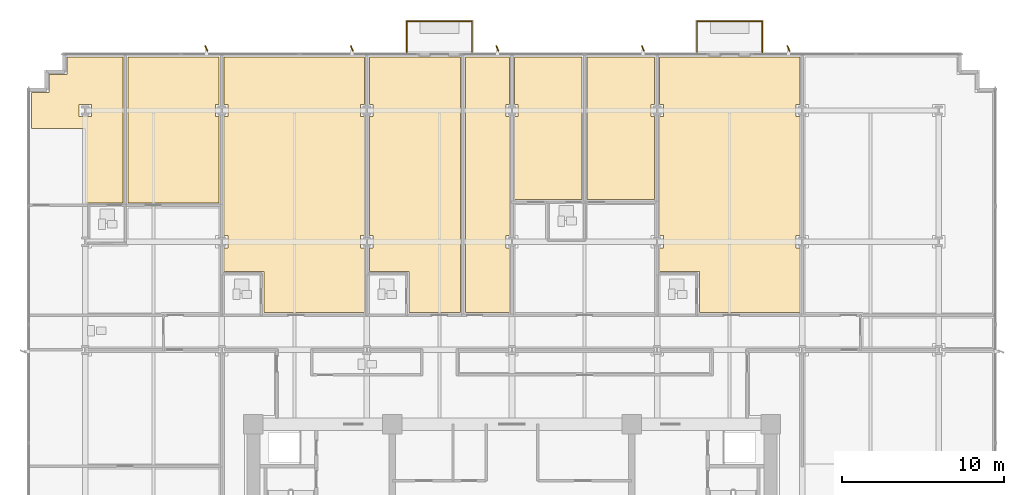
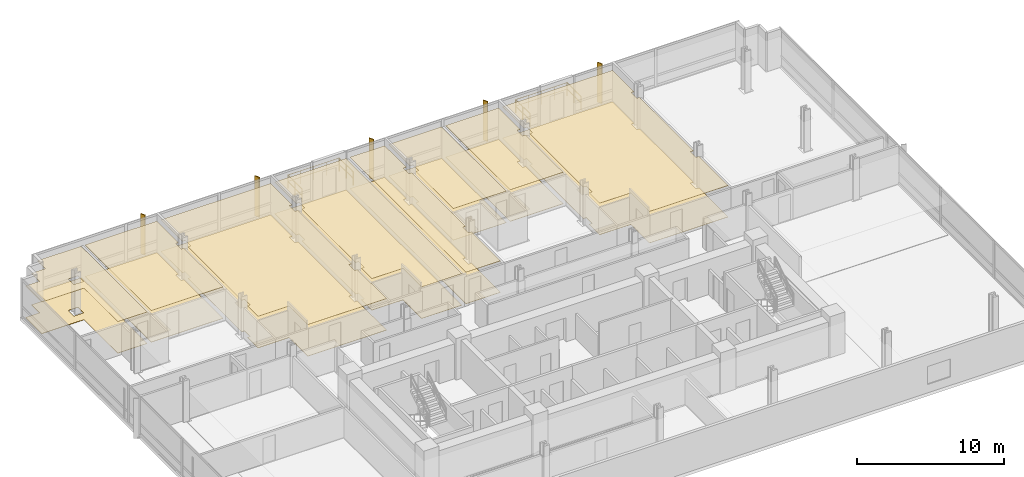
# One storey, part 14 of 16: 16 coverings, 6 railings, 5 shading devices.
"""IFC4 building model written with IfcOpenShell, lengths in metres."""

from ifc_helpers import new_model, si_unit, direction, frame, origin, origin_2d, place, context, subcontext, project, spatial, polyline, rectangle, circle, outline, extrude, material, layer, layer_set, type_object, element, save


model = new_model("IFC4")

# Units and contexts
model_context = context("Model", 3, precision=1e-05, world=origin(), true_north=direction((0.0, 1.0)))
body_context = subcontext(model_context, "Body", "Model", "MODEL_VIEW")
ifc_project = project(units=[si_unit("LENGTHUNIT", "METRE"), si_unit("AREAUNIT", "SQUARE_METRE"), si_unit("VOLUMEUNIT", "CUBIC_METRE"), si_unit("PLANEANGLEUNIT", "RADIAN"), si_unit("MASSUNIT", "GRAM", prefix="KILO")], contexts=[model_context])

# Site, building, storey
site_placement = place(None, origin())
site = spatial("IfcSite", under=ifc_project, at=site_placement, CompositionType="ELEMENT")
building_placement = place(site_placement, origin())
building = spatial("IfcBuilding", under=site, at=building_placement, Name="Solmavex Isthmus Hotel", CompositionType="ELEMENT")
storey_placement = place(building_placement, frame((0.0, 0.0, 29.85009765625)))
storey = spatial("IfcBuildingStorey", under=building, at=storey_placement, Name="L07", CompositionType="ELEMENT", Elevation=29.85009765625)

# Coverings
ifc_material_1 = material(Name="Gypsum plasterboard lining", Category="gypsum")
ifc_layer_1 = layer(ifc_material_1, 0.030029296875)
ifc_layer_set_1 = layer_set([ifc_layer_1], Name="Gypsum plasterboard lining")
covering_type_1 = type_object("IfcCoveringType", Name="COV-CEIL-GYP", PredefinedType="CEILING", material=ifc_layer_set_1)
covering_1_placement = place(storey_placement, frame((0.0, 0.0, 2.619873046875)))
element("IfcCovering", 1, at=covering_1_placement, inside=storey, type_object=covering_type_1, Name="Suspended Acoustic Ceiling L07-HB01", PredefinedType="CEILING", context=body_context, shape_type="SweptSolid", body=[
    extrude(outline(polyline([(-28.625, 18.02490234375), (-29.72509765625, 18.02490234375), (-29.72509765625, 15.800048828125), (-26.39990234375, 15.800048828125), (-26.39990234375, 11.193115234375), (-24.071044921875, 11.193115234375), (-24.071044921875, 20.22509765625), (-27.52490234375, 20.22509765625), (-27.52490234375, 19.125), (-28.625, 19.125), (-28.625, 18.02490234375)]), holes=[polyline([(-26.780029296875, 17.280029296875), (-26.02001953125, 17.280029296875), (-26.02001953125, 16.52001953125), (-26.780029296875, 16.52001953125), (-26.780029296875, 17.280029296875)])]), origin(), (0.0, 0.0, 1.0), 0.030029296875),
])
covering_2_placement = place(storey_placement, frame((0.0, 0.0, 2.619873046875)))
element("IfcCovering", 2, at=covering_2_placement, inside=storey, type_object=covering_type_1, Name="Suspended Acoustic Ceiling L07-HP01", PredefinedType="CEILING", context=body_context, shape_type="SweptSolid", body=[
    extrude(outline(polyline([(-18.10693359375, 16.52001953125), (-18.33203125, 16.52001953125), (-18.33203125, 17.280029296875), (-18.10693359375, 17.280029296875), (-18.10693359375, 20.22509765625), (-23.760986328125, 20.22509765625), (-23.760986328125, 11.193115234375), (-18.10693359375, 11.193115234375), (-18.10693359375, 16.52001953125)])), origin(), (0.0, 0.0, 1.0), 0.030029296875),
])
covering_3_placement = place(storey_placement, frame((0.0, 0.0, 2.619873046875)))
element("IfcCovering", 3, at=covering_3_placement, inside=storey, type_object=covering_type_1, Name="Suspended Acoustic Ceiling L07-RM02", PredefinedType="CEILING", context=body_context, shape_type="SweptSolid", body=[
    extrude(outline(polyline([(-17.797119140625, 9.16796875), (-17.572021484375, 9.16796875), (-17.572021484375, 8.407958984375), (-17.797119140625, 8.407958984375), (-17.797119140625, 6.955078125), (-15.346923828125, 6.955078125), (-15.346923828125, 4.405029296875), (-9.131103515625, 4.405029296875), (-9.131103515625, 8.407958984375), (-9.35595703125, 8.407958984375), (-9.35595703125, 9.16796875), (-9.131103515625, 9.16796875), (-9.131103515625, 16.52001953125), (-9.35595703125, 16.52001953125), (-9.35595703125, 17.280029296875), (-9.131103515625, 17.280029296875), (-9.131103515625, 20.22509765625), (-17.797119140625, 20.22509765625), (-17.797119140625, 17.280029296875), (-17.572021484375, 17.280029296875), (-17.572021484375, 16.52001953125), (-17.797119140625, 16.52001953125), (-17.797119140625, 9.16796875)])), origin(), (0.0, 0.0, 1.0), 0.030029296875),
])
covering_4_placement = place(storey_placement, frame((0.0, 0.0, 2.619873046875)))
element("IfcCovering", 4, at=covering_4_placement, inside=storey, type_object=covering_type_1, Name="Suspended Acoustic Ceiling L07-RM03", PredefinedType="CEILING", context=body_context, shape_type="SweptSolid", body=[
    extrude(outline(polyline([(-8.821044921875, 9.16796875), (-8.595947265625, 9.16796875), (-8.595947265625, 8.407958984375), (-8.821044921875, 8.407958984375), (-8.821044921875, 6.955078125), (-6.37109375, 6.955078125), (-6.37109375, 4.405029296875), (-3.193115234375, 4.405029296875), (-3.193115234375, 20.22509765625), (-8.821044921875, 20.22509765625), (-8.821044921875, 17.280029296875), (-8.595947265625, 17.280029296875), (-8.595947265625, 16.52001953125), (-8.821044921875, 16.52001953125), (-8.821044921875, 9.16796875)])), origin(), (0.0, 0.0, 1.0), 0.030029296875),
])
covering_5_placement = place(storey_placement, frame((0.0, 0.0, 2.619873046875)))
element("IfcCovering", 5, at=covering_5_placement, inside=storey, type_object=covering_type_1, Name="Suspended Acoustic Ceiling L07-RM04", PredefinedType="CEILING", context=body_context, shape_type="SweptSolid", body=[
    extrude(outline(polyline([(-0.155029296875, 16.52001953125), (-0.3798828125, 16.52001953125), (-0.3798828125, 17.280029296875), (-0.155029296875, 17.280029296875), (-0.155029296875, 20.22509765625), (-2.883056640625, 20.22509765625), (-2.883056640625, 4.405029296875), (-0.155029296875, 4.405029296875), (-0.155029296875, 8.407958984375), (-0.3798828125, 8.407958984375), (-0.3798828125, 9.16796875), (-0.155029296875, 9.16796875), (-0.155029296875, 16.52001953125)])), origin(), (0.0, 0.0, 1.0), 0.030029296875),
])
covering_6_placement = place(storey_placement, frame((0.0, 0.0, 2.619873046875)))
element("IfcCovering", 6, at=covering_6_placement, inside=storey, type_object=covering_type_1, Name="Suspended Acoustic Ceiling L07-TB05", PredefinedType="CEILING", context=body_context, shape_type="SweptSolid", body=[
    extrude(outline(polyline([(0.155029296875, 17.280029296875), (0.3798828125, 17.280029296875), (0.3798828125, 16.52001953125), (0.155029296875, 16.52001953125), (0.155029296875, 11.39306640625), (4.3330078125, 11.39306640625), (4.3330078125, 20.22509765625), (0.155029296875, 20.22509765625), (0.155029296875, 17.280029296875)])), origin(), (0.0, 0.0, 1.0), 0.030029296875),
])
covering_7_placement = place(storey_placement, frame((0.0, 0.0, 2.619873046875)))
element("IfcCovering", 7, at=covering_7_placement, inside=storey, type_object=covering_type_1, Name="Suspended Acoustic Ceiling L07-TL05", PredefinedType="CEILING", context=body_context, shape_type="SweptSolid", body=[
    extrude(outline(polyline([(8.821044921875, 16.52001953125), (8.595947265625, 16.52001953125), (8.595947265625, 17.280029296875), (8.821044921875, 17.280029296875), (8.821044921875, 20.22509765625), (4.64306640625, 20.22509765625), (4.64306640625, 11.39306640625), (8.821044921875, 11.39306640625), (8.821044921875, 16.52001953125)])), origin(), (0.0, 0.0, 1.0), 0.030029296875),
])
covering_8_placement = place(storey_placement, frame((0.0, 0.0, 2.619873046875)))
element("IfcCovering", 8, at=covering_8_placement, inside=storey, type_object=covering_type_1, Name="Suspended Acoustic Ceiling L07-RM06", PredefinedType="CEILING", context=body_context, shape_type="SweptSolid", body=[
    extrude(outline(polyline([(9.131103515625, 9.16796875), (9.35595703125, 9.16796875), (9.35595703125, 8.407958984375), (9.131103515625, 8.407958984375), (9.131103515625, 6.955078125), (11.5810546875, 6.955078125), (11.5810546875, 4.405029296875), (17.797119140625, 4.405029296875), (17.797119140625, 8.407958984375), (17.572021484375, 8.407958984375), (17.572021484375, 9.16796875), (17.797119140625, 9.16796875), (17.797119140625, 16.52001953125), (17.572021484375, 16.52001953125), (17.572021484375, 17.280029296875), (17.797119140625, 17.280029296875), (17.797119140625, 20.22509765625), (9.131103515625, 20.22509765625), (9.131103515625, 17.280029296875), (9.35595703125, 17.280029296875), (9.35595703125, 16.52001953125), (9.131103515625, 16.52001953125), (9.131103515625, 9.16796875)])), origin(), (0.0, 0.0, 1.0), 0.030029296875),
])
ifc_material_2 = material(Name="Travertine natural stone", Category="masonry")
ifc_layer_2 = layer(ifc_material_2, 0.02490234375)
ifc_layer_set_2 = layer_set([ifc_layer_2], Name="Travertine natural stone")
covering_type_2 = type_object("IfcCoveringType", Name="COV-FLOR-STN", PredefinedType="FLOORING", material=ifc_layer_set_2)
covering_9_placement = place(storey_placement, origin())
element("IfcCovering", 9, at=covering_9_placement, inside=storey, type_object=covering_type_2, Name="Stone and Timber Floor Finish L07-HB01", PredefinedType="FLOORING", context=body_context, shape_type="SweptSolid", body=[
    extrude(outline(polyline([(-28.625, 18.02490234375), (-29.72509765625, 18.02490234375), (-29.72509765625, 15.800048828125), (-26.39990234375, 15.800048828125), (-26.39990234375, 11.193115234375), (-24.071044921875, 11.193115234375), (-24.071044921875, 20.22509765625), (-27.52490234375, 20.22509765625), (-27.52490234375, 19.125), (-28.625, 19.125), (-28.625, 18.02490234375)]), holes=[polyline([(-26.780029296875, 17.280029296875), (-26.02001953125, 17.280029296875), (-26.02001953125, 16.52001953125), (-26.780029296875, 16.52001953125), (-26.780029296875, 17.280029296875)])]), origin(), (0.0, 0.0, 1.0), 0.02490234375),
])
covering_10_placement = place(storey_placement, origin())
element("IfcCovering", 10, at=covering_10_placement, inside=storey, type_object=covering_type_2, Name="Stone and Timber Floor Finish L07-HP01", PredefinedType="FLOORING", context=body_context, shape_type="SweptSolid", body=[
    extrude(outline(polyline([(-18.10693359375, 16.52001953125), (-18.33203125, 16.52001953125), (-18.33203125, 17.280029296875), (-18.10693359375, 17.280029296875), (-18.10693359375, 20.22509765625), (-23.760986328125, 20.22509765625), (-23.760986328125, 11.193115234375), (-18.10693359375, 11.193115234375), (-18.10693359375, 16.52001953125)])), origin(), (0.0, 0.0, 1.0), 0.02490234375),
])
covering_11_placement = place(storey_placement, origin())
element("IfcCovering", 11, at=covering_11_placement, inside=storey, type_object=covering_type_2, Name="Stone and Timber Floor Finish L07-RM02", PredefinedType="FLOORING", context=body_context, shape_type="SweptSolid", body=[
    extrude(outline(polyline([(-17.797119140625, 9.16796875), (-17.572021484375, 9.16796875), (-17.572021484375, 8.407958984375), (-17.797119140625, 8.407958984375), (-17.797119140625, 6.955078125), (-15.346923828125, 6.955078125), (-15.346923828125, 4.405029296875), (-9.131103515625, 4.405029296875), (-9.131103515625, 8.407958984375), (-9.35595703125, 8.407958984375), (-9.35595703125, 9.16796875), (-9.131103515625, 9.16796875), (-9.131103515625, 16.52001953125), (-9.35595703125, 16.52001953125), (-9.35595703125, 17.280029296875), (-9.131103515625, 17.280029296875), (-9.131103515625, 20.22509765625), (-17.797119140625, 20.22509765625), (-17.797119140625, 17.280029296875), (-17.572021484375, 17.280029296875), (-17.572021484375, 16.52001953125), (-17.797119140625, 16.52001953125), (-17.797119140625, 9.16796875)])), origin(), (0.0, 0.0, 1.0), 0.02490234375),
])
covering_12_placement = place(storey_placement, origin())
element("IfcCovering", 12, at=covering_12_placement, inside=storey, type_object=covering_type_2, Name="Stone and Timber Floor Finish L07-RM03", PredefinedType="FLOORING", context=body_context, shape_type="SweptSolid", body=[
    extrude(outline(polyline([(-8.821044921875, 9.16796875), (-8.595947265625, 9.16796875), (-8.595947265625, 8.407958984375), (-8.821044921875, 8.407958984375), (-8.821044921875, 6.955078125), (-6.37109375, 6.955078125), (-6.37109375, 4.405029296875), (-3.193115234375, 4.405029296875), (-3.193115234375, 20.22509765625), (-8.821044921875, 20.22509765625), (-8.821044921875, 17.280029296875), (-8.595947265625, 17.280029296875), (-8.595947265625, 16.52001953125), (-8.821044921875, 16.52001953125), (-8.821044921875, 9.16796875)])), origin(), (0.0, 0.0, 1.0), 0.02490234375),
])
covering_13_placement = place(storey_placement, origin())
element("IfcCovering", 13, at=covering_13_placement, inside=storey, type_object=covering_type_2, Name="Stone and Timber Floor Finish L07-RM04", PredefinedType="FLOORING", context=body_context, shape_type="SweptSolid", body=[
    extrude(outline(polyline([(-0.155029296875, 16.52001953125), (-0.3798828125, 16.52001953125), (-0.3798828125, 17.280029296875), (-0.155029296875, 17.280029296875), (-0.155029296875, 20.22509765625), (-2.883056640625, 20.22509765625), (-2.883056640625, 4.405029296875), (-0.155029296875, 4.405029296875), (-0.155029296875, 8.407958984375), (-0.3798828125, 8.407958984375), (-0.3798828125, 9.16796875), (-0.155029296875, 9.16796875), (-0.155029296875, 16.52001953125)])), origin(), (0.0, 0.0, 1.0), 0.02490234375),
])
covering_14_placement = place(storey_placement, origin())
element("IfcCovering", 14, at=covering_14_placement, inside=storey, type_object=covering_type_2, Name="Stone and Timber Floor Finish L07-TB05", PredefinedType="FLOORING", context=body_context, shape_type="SweptSolid", body=[
    extrude(outline(polyline([(0.155029296875, 17.280029296875), (0.3798828125, 17.280029296875), (0.3798828125, 16.52001953125), (0.155029296875, 16.52001953125), (0.155029296875, 11.39306640625), (4.3330078125, 11.39306640625), (4.3330078125, 20.22509765625), (0.155029296875, 20.22509765625), (0.155029296875, 17.280029296875)])), origin(), (0.0, 0.0, 1.0), 0.02490234375),
])
covering_15_placement = place(storey_placement, origin())
element("IfcCovering", 15, at=covering_15_placement, inside=storey, type_object=covering_type_2, Name="Stone and Timber Floor Finish L07-TL05", PredefinedType="FLOORING", context=body_context, shape_type="SweptSolid", body=[
    extrude(outline(polyline([(8.821044921875, 16.52001953125), (8.595947265625, 16.52001953125), (8.595947265625, 17.280029296875), (8.821044921875, 17.280029296875), (8.821044921875, 20.22509765625), (4.64306640625, 20.22509765625), (4.64306640625, 11.39306640625), (8.821044921875, 11.39306640625), (8.821044921875, 16.52001953125)])), origin(), (0.0, 0.0, 1.0), 0.02490234375),
])
covering_16_placement = place(storey_placement, origin())
element("IfcCovering", 16, at=covering_16_placement, inside=storey, type_object=covering_type_2, Name="Stone and Timber Floor Finish L07-RM06", PredefinedType="FLOORING", context=body_context, shape_type="SweptSolid", body=[
    extrude(outline(polyline([(9.131103515625, 9.16796875), (9.35595703125, 9.16796875), (9.35595703125, 8.407958984375), (9.131103515625, 8.407958984375), (9.131103515625, 6.955078125), (11.5810546875, 6.955078125), (11.5810546875, 4.405029296875), (17.797119140625, 4.405029296875), (17.797119140625, 8.407958984375), (17.572021484375, 8.407958984375), (17.572021484375, 9.16796875), (17.797119140625, 9.16796875), (17.797119140625, 16.52001953125), (17.572021484375, 16.52001953125), (17.572021484375, 17.280029296875), (17.797119140625, 17.280029296875), (17.797119140625, 20.22509765625), (9.131103515625, 20.22509765625), (9.131103515625, 17.280029296875), (9.35595703125, 17.280029296875), (9.35595703125, 16.52001953125), (9.131103515625, 16.52001953125), (9.131103515625, 9.16796875)])), origin(), (0.0, 0.0, 1.0), 0.02490234375),
])

# Railings
ifc_material_3 = material(Name="Clear low-E laminated glass", Category="glass")
ifc_layer_3 = layer(ifc_material_3, 0.070068359375)
ifc_layer_set_3 = layer_set([ifc_layer_3], Name="Clear low-E laminated glass")
railing_type = type_object("IfcRailingType", Name="RAIL-GUARD-1100", PredefinedType="BALUSTRADE", material=ifc_layer_set_3)
railing_1_placement = place(storey_placement, frame((-6.508056640625, 20.5, 0.0)))
element("IfcRailing", 17, at=railing_1_placement, inside=storey, type_object=railing_type, Name="Guardrail Balustrade L07-BAL1-01", PredefinedType="BALUSTRADE", context=body_context, shape_type="SweptSolid", body=[
    extrude(circle(Radius=0.02392578125, at=origin_2d()), frame((0.0, 0.0, 1.09619140625), z_axis=(0.0, 1.0, 0.0), x_axis=(-1.0, 0.0, 0.0)), (0.0, 0.0, 1.0), 1.919921875),
    extrude(circle(Radius=0.02392578125, at=origin_2d()), frame((0.0, 0.0, 0.56005859375), z_axis=(0.0, 1.0, 0.0), x_axis=(-1.0, 0.0, 0.0)), (0.0, 0.0, 1.0), 1.919921875),
    extrude(circle(Radius=0.02099609375, at=origin_2d()), origin(), (0.0, 0.0, 1.0), 1.072021484375),
    extrude(circle(Radius=0.02099609375, at=origin_2d()), frame((0.0, 0.9599609375, 0.0)), (0.0, 0.0, 1.0), 1.072021484375),
    extrude(circle(Radius=0.02099609375, at=origin_2d()), frame((0.0, 1.919921875, 0.0)), (0.0, 0.0, 1.0), 1.072021484375),
])
railing_2_placement = place(storey_placement, frame((-6.508056640625, 22.419921875, 0.0)))
element("IfcRailing", 18, at=railing_2_placement, inside=storey, type_object=railing_type, Name="Guardrail Balustrade L07-BAL1-02", PredefinedType="BALUSTRADE", context=body_context, shape_type="SweptSolid", body=[
    extrude(circle(Radius=0.02392578125, at=origin_2d()), frame((0.0, 0.0, 1.09619140625), z_axis=(1.0, 0.0, 0.0), x_axis=(0.0, 1.0, 0.0)), (0.0, 0.0, 1.0), 4.0400390625),
    extrude(circle(Radius=0.02392578125, at=origin_2d()), frame((0.0, 0.0, 0.56005859375), z_axis=(1.0, 0.0, 0.0), x_axis=(0.0, 1.0, 0.0)), (0.0, 0.0, 1.0), 4.0400390625),
    extrude(circle(Radius=0.02099609375, at=origin_2d()), origin(), (0.0, 0.0, 1.0), 1.072021484375),
    extrude(circle(Radius=0.02099609375, at=origin_2d()), frame((1.010009765625, 0.0, 0.0)), (0.0, 0.0, 1.0), 1.072021484375),
    extrude(circle(Radius=0.02099609375, at=origin_2d()), frame((2.02001953125, 0.0, 0.0)), (0.0, 0.0, 1.0), 1.072021484375),
    extrude(circle(Radius=0.02099609375, at=origin_2d()), frame((3.030029296875, 0.0, 0.0)), (0.0, 0.0, 1.0), 1.072021484375),
    extrude(circle(Radius=0.02099609375, at=origin_2d()), frame((4.0400390625, 0.0, 0.0)), (0.0, 0.0, 1.0), 1.072021484375),
])
railing_3_placement = place(storey_placement, frame((-2.468017578125, 22.419921875, 0.0)))
element("IfcRailing", 19, at=railing_3_placement, inside=storey, type_object=railing_type, Name="Guardrail Balustrade L07-BAL1-03", PredefinedType="BALUSTRADE", context=body_context, shape_type="SweptSolid", body=[
    extrude(circle(Radius=0.02392578125, at=origin_2d()), frame((0.0, 0.0, 1.09619140625), z_axis=(0.0, -1.0, 0.0), x_axis=(1.0, 0.0, 0.0)), (0.0, 0.0, 1.0), 1.919921875),
    extrude(circle(Radius=0.02392578125, at=origin_2d()), frame((0.0, 0.0, 0.56005859375), z_axis=(0.0, -1.0, 0.0), x_axis=(1.0, 0.0, 0.0)), (0.0, 0.0, 1.0), 1.919921875),
    extrude(circle(Radius=0.02099609375, at=origin_2d()), origin(), (0.0, 0.0, 1.0), 1.072021484375),
    extrude(circle(Radius=0.02099609375, at=origin_2d()), frame((0.0, -0.9599609375, 0.0)), (0.0, 0.0, 1.0), 1.072021484375),
    extrude(circle(Radius=0.02099609375, at=origin_2d()), frame((0.0, -1.919921875, 0.0)), (0.0, 0.0, 1.0), 1.072021484375),
])
railing_4_placement = place(storey_placement, frame((11.444091796875, 20.5, 0.0)))
element("IfcRailing", 20, at=railing_4_placement, inside=storey, type_object=railing_type, Name="Guardrail Balustrade L07-BAL2-01", PredefinedType="BALUSTRADE", context=body_context, shape_type="SweptSolid", body=[
    extrude(circle(Radius=0.02392578125, at=origin_2d()), frame((0.0, 0.0, 1.09619140625), z_axis=(0.0, 1.0, 0.0), x_axis=(-1.0, 0.0, 0.0)), (0.0, 0.0, 1.0), 1.919921875),
    extrude(circle(Radius=0.02392578125, at=origin_2d()), frame((0.0, 0.0, 0.56005859375), z_axis=(0.0, 1.0, 0.0), x_axis=(-1.0, 0.0, 0.0)), (0.0, 0.0, 1.0), 1.919921875),
    extrude(circle(Radius=0.02099609375, at=origin_2d()), origin(), (0.0, 0.0, 1.0), 1.072021484375),
    extrude(circle(Radius=0.02099609375, at=origin_2d()), frame((0.0, 0.9599609375, 0.0)), (0.0, 0.0, 1.0), 1.072021484375),
    extrude(circle(Radius=0.02099609375, at=origin_2d()), frame((0.0, 1.919921875, 0.0)), (0.0, 0.0, 1.0), 1.072021484375),
])
railing_5_placement = place(storey_placement, frame((11.444091796875, 22.419921875, 0.0)))
element("IfcRailing", 21, at=railing_5_placement, inside=storey, type_object=railing_type, Name="Guardrail Balustrade L07-BAL2-02", PredefinedType="BALUSTRADE", context=body_context, shape_type="SweptSolid", body=[
    extrude(circle(Radius=0.02392578125, at=origin_2d()), frame((0.0, 0.0, 1.09619140625), z_axis=(1.0, 0.0, 0.0), x_axis=(0.0, 1.0, 0.0)), (0.0, 0.0, 1.0), 4.039794921875),
    extrude(circle(Radius=0.02392578125, at=origin_2d()), frame((0.0, 0.0, 0.56005859375), z_axis=(1.0, 0.0, 0.0), x_axis=(0.0, 1.0, 0.0)), (0.0, 0.0, 1.0), 4.039794921875),
    extrude(circle(Radius=0.02099609375, at=origin_2d()), origin(), (0.0, 0.0, 1.0), 1.072021484375),
    extrude(circle(Radius=0.02099609375, at=origin_2d()), frame((1.010009765625, 0.0, 0.0)), (0.0, 0.0, 1.0), 1.072021484375),
    extrude(circle(Radius=0.02099609375, at=origin_2d()), frame((2.02001953125, 0.0, 0.0)), (0.0, 0.0, 1.0), 1.072021484375),
    extrude(circle(Radius=0.02099609375, at=origin_2d()), frame((3.02978515625, 0.0, 0.0)), (0.0, 0.0, 1.0), 1.072021484375),
    extrude(circle(Radius=0.02099609375, at=origin_2d()), frame((4.039794921875, 0.0, 0.0)), (0.0, 0.0, 1.0), 1.072021484375),
])
railing_6_placement = place(storey_placement, frame((15.48388671875, 22.419921875, 0.0)))
element("IfcRailing", 22, at=railing_6_placement, inside=storey, type_object=railing_type, Name="Guardrail Balustrade L07-BAL2-03", PredefinedType="BALUSTRADE", context=body_context, shape_type="SweptSolid", body=[
    extrude(circle(Radius=0.02392578125, at=origin_2d()), frame((0.0, 0.0, 1.09619140625), z_axis=(0.0, -1.0, 0.0), x_axis=(1.0, 0.0, 0.0)), (0.0, 0.0, 1.0), 1.919921875),
    extrude(circle(Radius=0.02392578125, at=origin_2d()), frame((0.0, 0.0, 0.56005859375), z_axis=(0.0, -1.0, 0.0), x_axis=(1.0, 0.0, 0.0)), (0.0, 0.0, 1.0), 1.919921875),
    extrude(circle(Radius=0.02099609375, at=origin_2d()), origin(), (0.0, 0.0, 1.0), 1.072021484375),
    extrude(circle(Radius=0.02099609375, at=origin_2d()), frame((0.0, -0.9599609375, 0.0)), (0.0, 0.0, 1.0), 1.072021484375),
    extrude(circle(Radius=0.02099609375, at=origin_2d()), frame((0.0, -1.919921875, 0.0)), (0.0, 0.0, 1.0), 1.072021484375),
])

# Shading devices
ifc_material_4 = material(Name="Aluminium alloy 6063-T6", Category="aluminium")
shading_device_type = type_object("IfcShadingDeviceType", Name="SHD-FIN-CHAMP", PredefinedType="USERDEFINED", material=ifc_material_4)
for number, where, z_axis, x_axis, name in (
    (23, (-18.89990234375, 20.739990234375, -0.14013671875), (0.0, 0.0, 1.0), (-0.438371146789, 0.898794046299, 0.0), "Anodised Aluminium Solar Fin L07-N1"),
    (24, (-9.89990234375, 20.739990234375, -0.14013671875), (0.0, 0.0, 1.0), (-0.438371146789, 0.898794046299, 0.0), "Anodised Aluminium Solar Fin L07-N2"),
    (25, (-0.89990234375, 20.739990234375, -0.14013671875), (0.0, 0.0, 1.0), (-0.438371146789, 0.898794046299, 0.0), "Anodised Aluminium Solar Fin L07-N3"),
    (26, (8.10009765625, 20.739990234375, -0.14013671875), (0.0, 0.0, 1.0), (-0.438371146789, 0.898794046299, 0.0), "Anodised Aluminium Solar Fin L07-N4"),
    (27, (17.10009765625, 20.739990234375, -0.14013671875), (0.0, 0.0, 1.0), (-0.438371146789, 0.898794046299, 0.0), "Anodised Aluminium Solar Fin L07-N5"),
):
    element("IfcShadingDevice", number, at=place(storey_placement, frame(where, z_axis=z_axis, x_axis=x_axis)), inside=storey, type_object=shading_device_type, Name=name, ObjectType="SOLAR_FIN", PredefinedType="USERDEFINED", context=body_context, shape_type="SweptSolid", body=[
        extrude(rectangle(XDim=0.3798828125, YDim=0.070068359375, at=origin_2d()), origin(), (0.0, 0.0, 1.0), 3.330078125),
    ])

save(model, "model.ifc")
